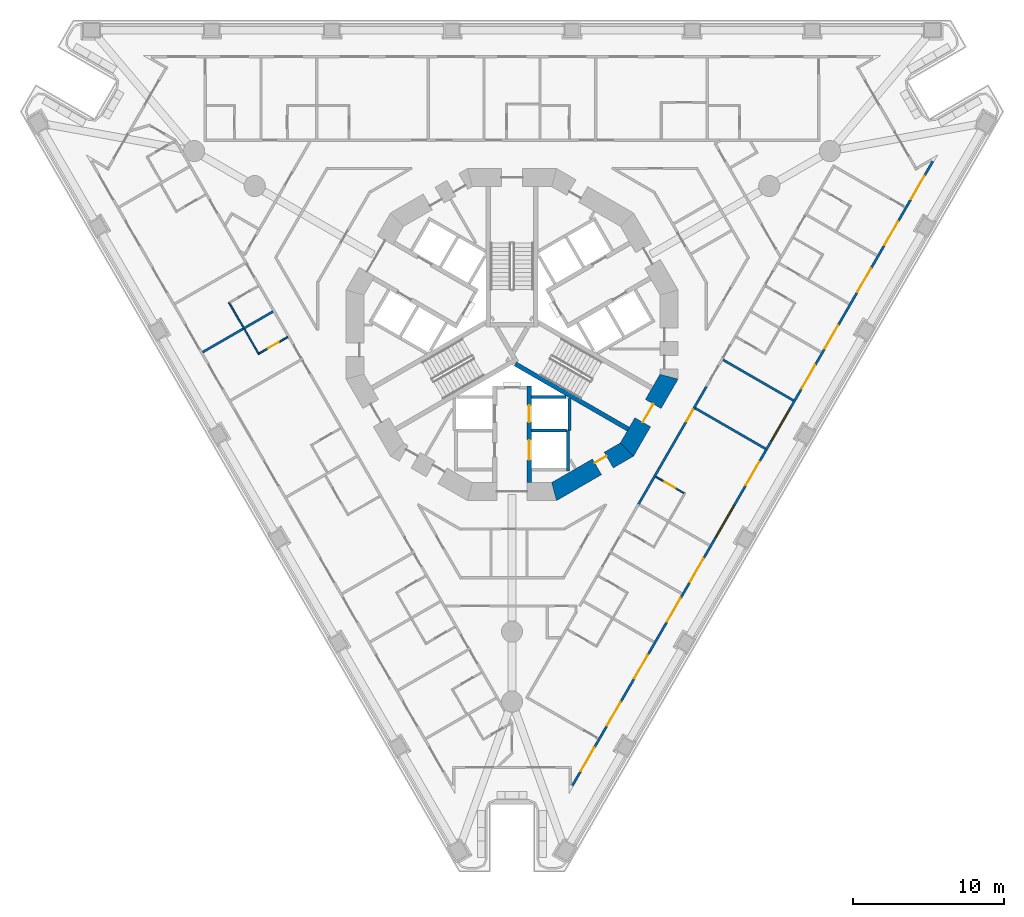
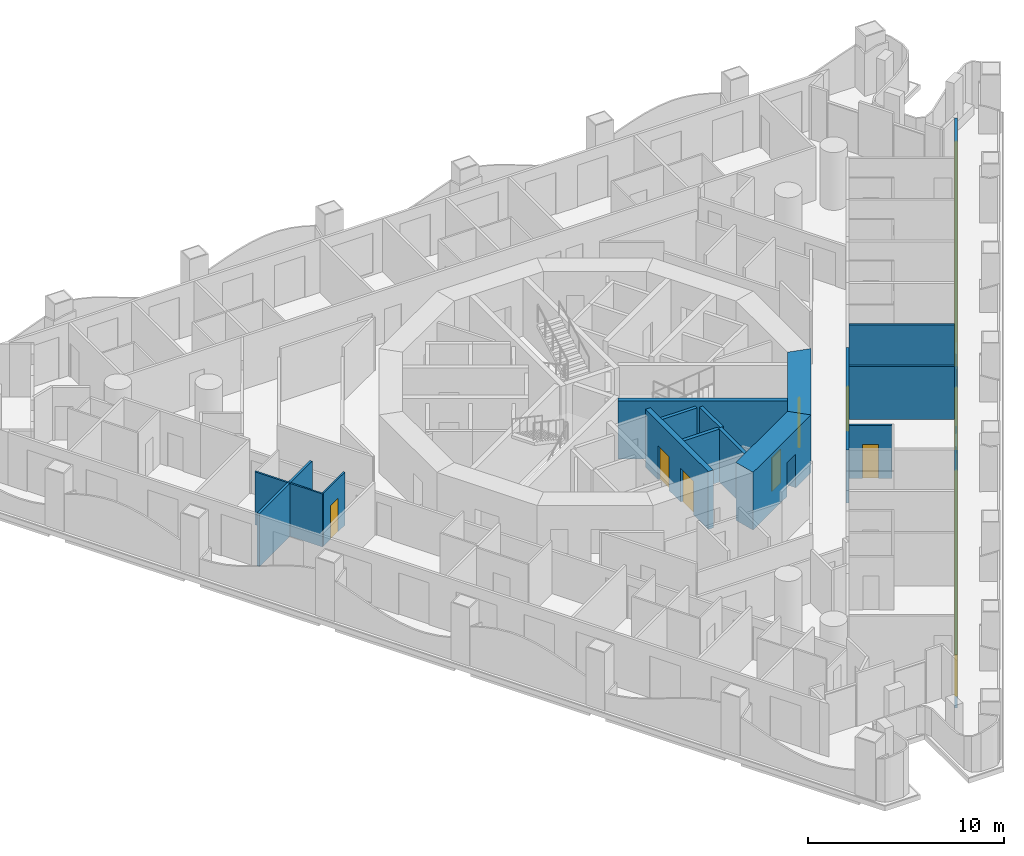
# One storey, part 5 of 20: 18 doors, 17 walls, 2 windows, 20 openings.
"""IFC4 building model written with IfcOpenShell, lengths in metres."""

from ifc_helpers import new_model, si_unit, direction, frame, frame_2d, origin, place, context, subcontext, project, spatial, polyline, rectangle, outline, extrude, material, layer, layer_set, type_object, element, fill, save


model = new_model("IFC4")

# Units and contexts
model_context = context("Model", 3, precision=1e-05, world=origin(), true_north=direction((0.0, 1.0)))
body_context = subcontext(model_context, "Body", "Model", "MODEL_VIEW")
ifc_project = project(units=[si_unit("LENGTHUNIT", "METRE"), si_unit("AREAUNIT", "SQUARE_METRE"), si_unit("VOLUMEUNIT", "CUBIC_METRE"), si_unit("PLANEANGLEUNIT", "RADIAN"), si_unit("MASSUNIT", "GRAM", prefix="KILO")], contexts=[model_context])

# Site, building, storey
site_placement = place(None, origin())
site = spatial("IfcSite", under=ifc_project, at=site_placement, CompositionType="ELEMENT")
building_placement = place(site_placement, origin())
building = spatial("IfcBuilding", under=site, at=building_placement, Name="Trine Commons Tower", CompositionType="ELEMENT")
storey_placement = place(building_placement, frame((0.0, 0.0, 38.699951171875)))
storey = spatial("IfcBuildingStorey", under=building, at=storey_placement, Name="L08", CompositionType="ELEMENT", Elevation=38.699951171875)

# Wall, openings, windows, doors
ifc_material_1 = material(Name="Aluminium-framed insulated wall panel", Category="aluminium")
ifc_layer_1 = layer(ifc_material_1, 0.14990234375)
ifc_layer_set_1 = layer_set([ifc_layer_1], Name="Aluminium-framed insulated wall panel")
wall_type_1 = type_object("IfcWallType", Name="Glazed frame wall 150, EI 60", PredefinedType="SOLIDWALL", material=ifc_layer_set_1)
wall_1_placement = place(storey_placement, frame((107.973388671875, 74.112060546875, 0.0), z_axis=(0.0, 0.0, 1.0), x_axis=(-0.499998600735, -0.866026211649, 0.0)))
wall_1 = element("IfcWall", 1, at=wall_1_placement, inside=storey, type_object=wall_type_1, Name="Glazed frame wall F2", PredefinedType="SOLIDWALL", context=body_context, shape_type="SweptSolid", body=[
    extrude(outline(polyline([(0.1494140625, 0.074951171875), (0.1494140625, -0.074951171875), (47.93701171875, -0.074951171875), (47.93701171875, 0.074951171875), (0.1494140625, 0.074951171875)])), origin(), (0.0, 0.0, 1.0), 3.300048828125),
])
opening_1_placement = place(wall_1_placement, frame((1.24951171875, 0.0, 0.0)))
opening_1 = element("IfcOpeningElement", 2, at=opening_1_placement, cuts=wall_1, Name="Opening BD-1F2-01", PredefinedType="OPENING", context=body_context, shape_type="SweptSolid", body=[
    extrude(rectangle(XDim=1.800048828125, YDim=2.60009765625, at=frame_2d((0.89990234375, 1.300048828125))), frame((0.0, 0.0849609375, 0.0), z_axis=(0.0, -1.0, 0.0), x_axis=(1.0, 0.0, 0.0)), (0.0, 0.0, 1.0), 0.169921875),
])
opening_2_placement = place(wall_1_placement, frame((4.748291015625, 0.0, 0.0)))
opening_2 = element("IfcOpeningElement", 3, at=opening_2_placement, cuts=wall_1, Name="Opening BD-1F2-02", PredefinedType="OPENING", context=body_context, shape_type="SweptSolid", body=[
    extrude(rectangle(XDim=1.800048828125, YDim=2.60009765625, at=frame_2d((0.89990234375, 1.300048828125))), frame((0.0, 0.0849609375, 0.0), z_axis=(0.0, -1.0, 0.0), x_axis=(1.0, 0.0, 0.0)), (0.0, 0.0, 1.0), 0.169921875),
])
opening_3_placement = place(wall_1_placement, frame((8.347412109375, 0.0, 0.0)))
opening_3 = element("IfcOpeningElement", 4, at=opening_3_placement, cuts=wall_1, Name="Opening BD-1F2-03", PredefinedType="OPENING", context=body_context, shape_type="SweptSolid", body=[
    extrude(rectangle(XDim=1.800048828125, YDim=2.60009765625, at=frame_2d((0.89990234375, 1.300048828125))), frame((0.0, 0.0849609375, 0.0), z_axis=(0.0, -1.0, 0.0), x_axis=(1.0, 0.0, 0.0)), (0.0, 0.0, 1.0), 0.169921875),
])
opening_4_placement = place(wall_1_placement, frame((12.69580078125, 0.0, 0.0)))
opening_4 = element("IfcOpeningElement", 5, at=opening_4_placement, cuts=wall_1, Name="Opening BD-1F2-04", PredefinedType="OPENING", context=body_context, shape_type="SweptSolid", body=[
    extrude(rectangle(XDim=1.800048828125, YDim=2.60009765625, at=frame_2d((0.89990234375, 1.300048828125))), frame((0.0, 0.0849609375, 0.0), z_axis=(0.0, -1.0, 0.0), x_axis=(1.0, 0.0, 0.0)), (0.0, 0.0, 1.0), 0.169921875),
])
opening_5_placement = place(wall_1_placement, frame((15.7451171875, 0.0, 0.0)))
opening_5 = element("IfcOpeningElement", 6, at=opening_5_placement, cuts=wall_1, Name="Opening BD-1F2-05", PredefinedType="OPENING", context=body_context, shape_type="SweptSolid", body=[
    extrude(rectangle(XDim=1.800048828125, YDim=2.60009765625, at=frame_2d((0.89990234375, 1.300048828125))), frame((0.0, 0.0849609375, 0.0), z_axis=(0.0, -1.0, 0.0), x_axis=(1.0, 0.0, 0.0)), (0.0, 0.0, 1.0), 0.169921875),
])
opening_6_placement = place(wall_1_placement, frame((19.14404296875, 0.0, 0.14990234375)))
opening_6 = element("IfcOpeningElement", 7, at=opening_6_placement, cuts=wall_1, Name="Opening W-1F2-06", PredefinedType="OPENING", context=body_context, shape_type="SweptSolid", body=[
    extrude(rectangle(XDim=2.39990234375, YDim=2.449951171875, at=frame_2d((1.199951171875, 1.22509765625))), frame((0.0, 0.0849609375, 0.0), z_axis=(0.0, -1.0, 0.0), x_axis=(1.0, 0.0, 0.0)), (0.0, 0.0, 1.0), 0.169921875),
])
opening_7_placement = place(wall_1_placement, frame((23.142822265625, 0.0, 0.0)))
opening_7 = element("IfcOpeningElement", 8, at=opening_7_placement, cuts=wall_1, Name="Opening BD-1F2-07", PredefinedType="OPENING", context=body_context, shape_type="SweptSolid", body=[
    extrude(rectangle(XDim=1.800048828125, YDim=2.60009765625, at=frame_2d((0.89990234375, 1.300048828125))), frame((0.0, 0.0849609375, 0.0), z_axis=(0.0, -1.0, 0.0), x_axis=(1.0, 0.0, 0.0)), (0.0, 0.0, 1.0), 0.169921875),
])
opening_8_placement = place(wall_1_placement, frame((26.541748046875, 0.0, 0.14990234375)))
opening_8 = element("IfcOpeningElement", 9, at=opening_8_placement, cuts=wall_1, Name="Opening W-1F2-08", PredefinedType="OPENING", context=body_context, shape_type="SweptSolid", body=[
    extrude(rectangle(XDim=2.39990234375, YDim=2.449951171875, at=frame_2d((1.199951171875, 1.22509765625))), frame((0.0, 0.0849609375, 0.0), z_axis=(0.0, -1.0, 0.0), x_axis=(1.0, 0.0, 0.0)), (0.0, 0.0, 1.0), 0.169921875),
])
opening_9_placement = place(wall_1_placement, frame((30.54052734375, 0.0, 0.0)))
opening_9 = element("IfcOpeningElement", 10, at=opening_9_placement, cuts=wall_1, Name="Opening BD-1F2-09", PredefinedType="OPENING", context=body_context, shape_type="SweptSolid", body=[
    extrude(rectangle(XDim=1.800048828125, YDim=2.60009765625, at=frame_2d((0.89990234375, 1.300048828125))), frame((0.0, 0.0849609375, 0.0), z_axis=(0.0, -1.0, 0.0), x_axis=(1.0, 0.0, 0.0)), (0.0, 0.0, 1.0), 0.169921875),
])
opening_10_placement = place(wall_1_placement, frame((33.590087890625, 0.0, 0.0)))
opening_10 = element("IfcOpeningElement", 11, at=opening_10_placement, cuts=wall_1, Name="Opening BD-1F2-10", PredefinedType="OPENING", context=body_context, shape_type="SweptSolid", body=[
    extrude(rectangle(XDim=1.800048828125, YDim=2.60009765625, at=frame_2d((0.89990234375, 1.300048828125))), frame((0.0, 0.0849609375, 0.0), z_axis=(0.0, -1.0, 0.0), x_axis=(1.0, 0.0, 0.0)), (0.0, 0.0, 1.0), 0.169921875),
])
opening_11_placement = place(wall_1_placement, frame((37.9384765625, 0.0, 0.0)))
opening_11 = element("IfcOpeningElement", 12, at=opening_11_placement, cuts=wall_1, Name="Opening BD-1F2-11", PredefinedType="OPENING", context=body_context, shape_type="SweptSolid", body=[
    extrude(rectangle(XDim=1.800048828125, YDim=2.60009765625, at=frame_2d((0.89990234375, 1.300048828125))), frame((0.0, 0.0849609375, 0.0), z_axis=(0.0, -1.0, 0.0), x_axis=(1.0, 0.0, 0.0)), (0.0, 0.0, 1.0), 0.169921875),
])
opening_12_placement = place(wall_1_placement, frame((41.537353515625, 0.0, 0.0)))
opening_12 = element("IfcOpeningElement", 13, at=opening_12_placement, cuts=wall_1, Name="Opening BD-1F2-12", PredefinedType="OPENING", context=body_context, shape_type="SweptSolid", body=[
    extrude(rectangle(XDim=1.800048828125, YDim=2.60009765625, at=frame_2d((0.89990234375, 1.300048828125))), frame((0.0, 0.0849609375, 0.0), z_axis=(0.0, -1.0, 0.0), x_axis=(1.0, 0.0, 0.0)), (0.0, 0.0, 1.0), 0.169921875),
])
opening_13_placement = place(wall_1_placement, frame((45.036376953125, 0.0, 0.0)))
opening_13 = element("IfcOpeningElement", 14, at=opening_13_placement, cuts=wall_1, Name="Opening BD-1F2-13", PredefinedType="OPENING", context=body_context, shape_type="SweptSolid", body=[
    extrude(rectangle(XDim=1.800048828125, YDim=2.60009765625, at=frame_2d((0.89990234375, 1.300048828125))), frame((0.0, 0.0849609375, 0.0), z_axis=(0.0, -1.0, 0.0), x_axis=(1.0, 0.0, 0.0)), (0.0, 0.0, 1.0), 0.169921875),
])
ifc_material_2 = material(Name="Anodised aluminium frame with double glazing", Category="aluminium")
window_type = type_object("IfcWindowType", Name="Fixed window 2400x2450", PartitioningType="SINGLE_PANEL", PredefinedType="WINDOW", material=ifc_material_2)
window_1_placement = place(opening_6_placement, origin())
window_1 = element("IfcWindow", 15, at=window_1_placement, inside=storey, type_object=window_type, Name="Window F2 6", OverallHeight=2.449951171875, OverallWidth=2.39990234375, PartitioningType="SINGLE_PANEL", PredefinedType="WINDOW", context=body_context, shape_type="SweptSolid", body=[
    extrude(rectangle(XDim=2.39990234375, YDim=2.449951171875, at=frame_2d((1.199951171875, 1.22509765625))), frame((0.0, 0.030029296875, 0.0), z_axis=(0.0, -1.0, 0.0), x_axis=(1.0, 0.0, 0.0)), (0.0, 0.0, 1.0), 0.06005859375),
])
fill(opening_6, window_1)
window_2_placement = place(opening_8_placement, origin())
window_2 = element("IfcWindow", 16, at=window_2_placement, inside=storey, type_object=window_type, Name="Window F2 8", OverallHeight=2.449951171875, OverallWidth=2.39990234375, PartitioningType="SINGLE_PANEL", PredefinedType="WINDOW", context=body_context, shape_type="SweptSolid", body=[
    extrude(rectangle(XDim=2.39990234375, YDim=2.449951171875, at=frame_2d((1.199951171875, 1.22509765625))), frame((0.0, 0.030029296875, 0.0), z_axis=(0.0, -1.0, 0.0), x_axis=(1.0, 0.0, 0.0)), (0.0, 0.0, 1.0), 0.06005859375),
])
fill(opening_8, window_2)
door_type_1 = type_object("IfcDoorType", Name="Sliding loggia door 1800x2600", OperationType="SLIDING_TO_LEFT", PredefinedType="DOOR", material=ifc_material_2)
door_1_placement = place(opening_1_placement, origin())
door_1 = element("IfcDoor", 17, at=door_1_placement, inside=storey, type_object=door_type_1, Name="Loggia door F2 1", OperationType="SLIDING_TO_LEFT", OverallHeight=2.60009765625, OverallWidth=1.800048828125, PredefinedType="DOOR", context=body_context, shape_type="SweptSolid", body=[
    extrude(rectangle(XDim=1.800048828125, YDim=2.60009765625, at=frame_2d((0.89990234375, 1.300048828125))), frame((0.0, 0.02490234375, 0.0), z_axis=(0.0, -1.0, 0.0), x_axis=(1.0, 0.0, 0.0)), (0.0, 0.0, 1.0), 0.050048828125),
])
fill(opening_1, door_1)
door_2_placement = place(opening_2_placement, origin())
door_2 = element("IfcDoor", 18, at=door_2_placement, inside=storey, type_object=door_type_1, Name="Loggia door F2 2", OperationType="SLIDING_TO_LEFT", OverallHeight=2.60009765625, OverallWidth=1.800048828125, PredefinedType="DOOR", context=body_context, shape_type="SweptSolid", body=[
    extrude(rectangle(XDim=1.800048828125, YDim=2.60009765625, at=frame_2d((0.89990234375, 1.300048828125))), frame((0.0, 0.02490234375, 0.0), z_axis=(0.0, -1.0, 0.0), x_axis=(1.0, 0.0, 0.0)), (0.0, 0.0, 1.0), 0.050048828125),
])
fill(opening_2, door_2)
door_3_placement = place(opening_3_placement, origin())
door_3 = element("IfcDoor", 19, at=door_3_placement, inside=storey, type_object=door_type_1, Name="Loggia door F2 3", OperationType="SLIDING_TO_LEFT", OverallHeight=2.60009765625, OverallWidth=1.800048828125, PredefinedType="DOOR", context=body_context, shape_type="SweptSolid", body=[
    extrude(rectangle(XDim=1.800048828125, YDim=2.60009765625, at=frame_2d((0.89990234375, 1.300048828125))), frame((0.0, 0.02490234375, 0.0), z_axis=(0.0, -1.0, 0.0), x_axis=(1.0, 0.0, 0.0)), (0.0, 0.0, 1.0), 0.050048828125),
])
fill(opening_3, door_3)
door_4_placement = place(opening_4_placement, origin())
door_4 = element("IfcDoor", 20, at=door_4_placement, inside=storey, type_object=door_type_1, Name="Loggia door F2 4", OperationType="SLIDING_TO_LEFT", OverallHeight=2.60009765625, OverallWidth=1.800048828125, PredefinedType="DOOR", context=body_context, shape_type="SweptSolid", body=[
    extrude(rectangle(XDim=1.800048828125, YDim=2.60009765625, at=frame_2d((0.89990234375, 1.300048828125))), frame((0.0, 0.02490234375, 0.0), z_axis=(0.0, -1.0, 0.0), x_axis=(1.0, 0.0, 0.0)), (0.0, 0.0, 1.0), 0.050048828125),
])
fill(opening_4, door_4)
door_5_placement = place(opening_5_placement, origin())
door_5 = element("IfcDoor", 21, at=door_5_placement, inside=storey, type_object=door_type_1, Name="Loggia door F2 5", OperationType="SLIDING_TO_LEFT", OverallHeight=2.60009765625, OverallWidth=1.800048828125, PredefinedType="DOOR", context=body_context, shape_type="SweptSolid", body=[
    extrude(rectangle(XDim=1.800048828125, YDim=2.60009765625, at=frame_2d((0.89990234375, 1.300048828125))), frame((0.0, 0.02490234375, 0.0), z_axis=(0.0, -1.0, 0.0), x_axis=(1.0, 0.0, 0.0)), (0.0, 0.0, 1.0), 0.050048828125),
])
fill(opening_5, door_5)
door_6_placement = place(opening_7_placement, origin())
door_6 = element("IfcDoor", 22, at=door_6_placement, inside=storey, type_object=door_type_1, Name="Loggia door F2 7", OperationType="SLIDING_TO_LEFT", OverallHeight=2.60009765625, OverallWidth=1.800048828125, PredefinedType="DOOR", context=body_context, shape_type="SweptSolid", body=[
    extrude(rectangle(XDim=1.800048828125, YDim=2.60009765625, at=frame_2d((0.89990234375, 1.300048828125))), frame((0.0, 0.02490234375, 0.0), z_axis=(0.0, -1.0, 0.0), x_axis=(1.0, 0.0, 0.0)), (0.0, 0.0, 1.0), 0.050048828125),
])
fill(opening_7, door_6)
door_7_placement = place(opening_9_placement, origin())
door_7 = element("IfcDoor", 23, at=door_7_placement, inside=storey, type_object=door_type_1, Name="Loggia door F2 9", OperationType="SLIDING_TO_LEFT", OverallHeight=2.60009765625, OverallWidth=1.800048828125, PredefinedType="DOOR", context=body_context, shape_type="SweptSolid", body=[
    extrude(rectangle(XDim=1.800048828125, YDim=2.60009765625, at=frame_2d((0.89990234375, 1.300048828125))), frame((0.0, 0.02490234375, 0.0), z_axis=(0.0, -1.0, 0.0), x_axis=(1.0, 0.0, 0.0)), (0.0, 0.0, 1.0), 0.050048828125),
])
fill(opening_9, door_7)
door_8_placement = place(opening_10_placement, origin())
door_8 = element("IfcDoor", 24, at=door_8_placement, inside=storey, type_object=door_type_1, Name="Loggia door F2 10", OperationType="SLIDING_TO_LEFT", OverallHeight=2.60009765625, OverallWidth=1.800048828125, PredefinedType="DOOR", context=body_context, shape_type="SweptSolid", body=[
    extrude(rectangle(XDim=1.800048828125, YDim=2.60009765625, at=frame_2d((0.89990234375, 1.300048828125))), frame((0.0, 0.02490234375, 0.0), z_axis=(0.0, -1.0, 0.0), x_axis=(1.0, 0.0, 0.0)), (0.0, 0.0, 1.0), 0.050048828125),
])
fill(opening_10, door_8)
door_9_placement = place(opening_11_placement, origin())
door_9 = element("IfcDoor", 25, at=door_9_placement, inside=storey, type_object=door_type_1, Name="Loggia door F2 11", OperationType="SLIDING_TO_LEFT", OverallHeight=2.60009765625, OverallWidth=1.800048828125, PredefinedType="DOOR", context=body_context, shape_type="SweptSolid", body=[
    extrude(rectangle(XDim=1.800048828125, YDim=2.60009765625, at=frame_2d((0.89990234375, 1.300048828125))), frame((0.0, 0.02490234375, 0.0), z_axis=(0.0, -1.0, 0.0), x_axis=(1.0, 0.0, 0.0)), (0.0, 0.0, 1.0), 0.050048828125),
])
fill(opening_11, door_9)
door_10_placement = place(opening_12_placement, origin())
door_10 = element("IfcDoor", 26, at=door_10_placement, inside=storey, type_object=door_type_1, Name="Loggia door F2 12", OperationType="SLIDING_TO_LEFT", OverallHeight=2.60009765625, OverallWidth=1.800048828125, PredefinedType="DOOR", context=body_context, shape_type="SweptSolid", body=[
    extrude(rectangle(XDim=1.800048828125, YDim=2.60009765625, at=frame_2d((0.89990234375, 1.300048828125))), frame((0.0, 0.02490234375, 0.0), z_axis=(0.0, -1.0, 0.0), x_axis=(1.0, 0.0, 0.0)), (0.0, 0.0, 1.0), 0.050048828125),
])
fill(opening_12, door_10)
door_11_placement = place(opening_13_placement, origin())
door_11 = element("IfcDoor", 27, at=door_11_placement, inside=storey, type_object=door_type_1, Name="Loggia door F2 13", OperationType="SLIDING_TO_LEFT", OverallHeight=2.60009765625, OverallWidth=1.800048828125, PredefinedType="DOOR", context=body_context, shape_type="SweptSolid", body=[
    extrude(rectangle(XDim=1.800048828125, YDim=2.60009765625, at=frame_2d((0.89990234375, 1.300048828125))), frame((0.0, 0.02490234375, 0.0), z_axis=(0.0, -1.0, 0.0), x_axis=(1.0, 0.0, 0.0)), (0.0, 0.0, 1.0), 0.050048828125),
])
fill(opening_13, door_11)

# Wall, opening, door
ifc_material_3 = material(Name="Concrete C80/95", Category="concrete")
ifc_layer_2 = layer(ifc_material_3, 1.199951171875)
ifc_layer_set_2 = layer_set([ifc_layer_2], Name="Concrete C80/95")
wall_type_2 = type_object("IfcWallType", Name="RC shear wall 1200 mm, C80/95", PredefinedType="SHEAR", material=ifc_layer_set_2)
wall_2_placement = place(storey_placement, frame((82.650390625, 52.008056640625, 0.0), z_axis=(0.0, 0.0, 1.0), x_axis=(0.866037463336, 0.499979111662, 0.0)))
wall_2 = element("IfcWall", 28, at=wall_2_placement, inside=storey, type_object=wall_type_2, Name="Core wall CWA-11 L08", PredefinedType="SHEAR", context=body_context, shape_type="SweptSolid", body=[
    extrude(outline(polyline([(0.0, -0.60009765625), (5.901123046875, -0.60009765625), (5.57958984375, 0.60009765625), (0.321533203125, 0.60009765625), (0.0, -0.60009765625)])), origin(), (0.0, 0.0, 1.0), 3.60009765625),
])
opening_14_placement = place(wall_2_placement, frame((3.44677734375, 0.0, 0.0)))
opening_14 = element("IfcOpeningElement", 29, at=opening_14_placement, cuts=wall_2, Name="Opening K07.17", PredefinedType="OPENING", context=body_context, shape_type="SweptSolid", body=[
    extrude(rectangle(XDim=0.89990234375, YDim=2.10009765625, at=frame_2d((0.449951171875, 1.050048828125))), frame((0.0, 0.60986328125, 0.0), z_axis=(0.0, -1.0, 0.0), x_axis=(1.0, 0.0, 0.0)), (0.0, 0.0, 1.0), 1.219970703125),
])
ifc_material_4 = material(Name="Steel door leaf, fire-rated", Category="steel")
door_type_2 = type_object("IfcDoorType", Name="Core room door, single leaf 900 x 2100, FD30S", OperationType="SINGLE_SWING_LEFT", PredefinedType="DOOR", material=ifc_material_4)
door_12_placement = place(opening_14_placement, origin())
door_12 = element("IfcDoor", 30, at=door_12_placement, inside=storey, type_object=door_type_2, Name="Door to Pantry L08", OperationType="SINGLE_SWING_RIGHT", OverallHeight=2.10009765625, OverallWidth=0.89990234375, PredefinedType="DOOR", context=body_context, shape_type="SweptSolid", body=[
    extrude(rectangle(XDim=0.89990234375, YDim=2.10009765625, at=frame_2d((0.449951171875, 1.050048828125))), frame((0.0, 0.3251953125, 0.0), z_axis=(0.0, -1.0, 0.0), x_axis=(1.0, 0.0, 0.0)), (0.0, 0.0, 1.0), 0.050048828125),
])
fill(opening_14, door_12)

wall_3_placement = place(storey_placement, frame((87.54150390625, 54.739013671875, 0.0), z_axis=(0.0, 0.0, 1.0), x_axis=(0.499979111662, 0.866037463336, 0.0)))
wall_3 = element("IfcWall", 31, at=wall_3_placement, inside=storey, type_object=wall_type_2, Name="Core wall CWA-12 L08", PredefinedType="SHEAR", context=body_context, shape_type="SweptSolid", body=[
    extrude(outline(polyline([(0.0, -0.60009765625), (5.901123046875, -0.60009765625), (5.57958984375, 0.60009765625), (0.321533203125, 0.60009765625), (0.0, -0.60009765625)])), origin(), (0.0, 0.0, 1.0), 3.60009765625),
])
opening_15_placement = place(wall_3_placement, frame((2.25048828125, 0.0, 0.0)))
opening_15 = element("IfcOpeningElement", 32, at=opening_15_placement, cuts=wall_3, Name="Opening K07.03", PredefinedType="OPENING", context=body_context, shape_type="SweptSolid", body=[
    extrude(rectangle(XDim=1.39990234375, YDim=2.10009765625, at=frame_2d((0.699951171875, 1.050048828125))), frame((0.0, 0.60986328125, 0.0), z_axis=(0.0, -1.0, 0.0), x_axis=(1.0, 0.0, 0.0)), (0.0, 0.0, 1.0), 1.219970703125),
])
ifc_material_5 = material(Name="Steel door leaves, fire-rated", Category="steel")
door_type_3 = type_object("IfcDoorType", Name="Stair door, double leaf 1400 x 2100, FD90", OperationType="DOUBLE_DOOR_SINGLE_SWING", PredefinedType="DOOR", material=ifc_material_5)
door_13_placement = place(opening_15_placement, origin())
door_13 = element("IfcDoor", 33, at=door_13_placement, inside=storey, type_object=door_type_3, Name="Stair door to Exit stair ST3A L08", OperationType="DOUBLE_DOOR_SINGLE_SWING", OverallHeight=2.10009765625, OverallWidth=1.39990234375, PredefinedType="DOOR", context=body_context, shape_type="SweptSolid", body=[
    extrude(rectangle(XDim=1.39990234375, YDim=2.10009765625, at=frame_2d((0.699951171875, 1.050048828125))), frame((0.0, 0.02490234375, 0.0), z_axis=(0.0, -1.0, 0.0), x_axis=(1.0, 0.0, 0.0)), (0.0, 0.0, 1.0), 0.050048828125),
])
fill(opening_15, door_13)

# Wall, openings, doors
ifc_layer_3 = layer(ifc_material_3, 0.300048828125)
ifc_layer_set_3 = layer_set([ifc_layer_3], Name="Concrete C80/95")
wall_type_3 = type_object("IfcWallType", Name="RC shear wall 300 mm, C80/95", PredefinedType="SHEAR", material=ifc_layer_set_3)
wall_4_placement = place(storey_placement, frame((81.14990234375, 59.10009765625, 0.0), z_axis=(0.0, 0.0, 1.0), x_axis=(0.0, -1.0, 0.0)))
wall_4 = element("IfcWall", 34, at=wall_4_placement, inside=storey, type_object=wall_type_3, Name="Core cross wall SWA-04 L08", PredefinedType="SHEAR", context=body_context, shape_type="SweptSolid", body=[
    extrude(rectangle(XDim=6.412109375, YDim=0.300048828125, at=frame_2d((3.2060546875, 0.0))), origin(), (0.0, 0.0, 1.0), 3.60009765625),
])
opening_16_placement = place(wall_4_placement, frame((3.60009765625, 0.0, 0.0)))
opening_16 = element("IfcOpeningElement", 35, at=opening_16_placement, cuts=wall_4, Name="Opening LD11", PredefinedType="OPENING", context=body_context, shape_type="SweptSolid", body=[
    extrude(rectangle(XDim=1.300048828125, YDim=2.10009765625, at=frame_2d((0.64990234375, 1.050048828125))), frame((0.0, 0.159912109375, 0.0), z_axis=(0.0, -1.0, 0.0), x_axis=(1.0, 0.0, 0.0)), (0.0, 0.0, 1.0), 0.320068359375),
])
opening_17_placement = place(wall_4_placement, frame((1.300048828125, 0.0, 0.0)))
opening_17 = element("IfcOpeningElement", 36, at=opening_17_placement, cuts=wall_4, Name="Opening LD9", PredefinedType="OPENING", context=body_context, shape_type="SweptSolid", body=[
    extrude(rectangle(XDim=1.10009765625, YDim=2.10009765625, at=frame_2d((0.550048828125, 1.050048828125))), frame((0.0, 0.159912109375, 0.0), z_axis=(0.0, -1.0, 0.0), x_axis=(1.0, 0.0, 0.0)), (0.0, 0.0, 1.0), 0.320068359375),
])
ifc_material_6 = material(Name="Stainless steel sliding door leaves", Category="steel")
door_type_4 = type_object("IfcDoorType", Name="Lift landing door, centre-opening sliding 1100 x 2100, FD90", OperationType="DOUBLE_DOOR_SLIDING", PredefinedType="DOOR", material=ifc_material_6)
door_14_placement = place(opening_17_placement, origin())
door_14 = element("IfcDoor", 37, at=door_14_placement, inside=storey, type_object=door_type_4, Name="Lift landing door FF1 L08", OperationType="DOUBLE_DOOR_SLIDING", OverallHeight=2.10009765625, OverallWidth=1.10009765625, PredefinedType="DOOR", context=body_context, shape_type="SweptSolid", body=[
    extrude(rectangle(XDim=1.10009765625, YDim=2.10009765625, at=frame_2d((0.550048828125, 1.050048828125))), frame((0.0, 0.02490234375, 0.0), z_axis=(0.0, -1.0, 0.0), x_axis=(1.0, 0.0, 0.0)), (0.0, 0.0, 1.0), 0.050048828125),
])
fill(opening_17, door_14)
door_type_5 = type_object("IfcDoorType", Name="Lift landing door, centre-opening sliding 1300 x 2100, FD90", OperationType="DOUBLE_DOOR_SLIDING", PredefinedType="DOOR", material=ifc_material_6)
door_15_placement = place(opening_16_placement, origin())
door_15 = element("IfcDoor", 38, at=door_15_placement, inside=storey, type_object=door_type_5, Name="Lift landing door G1 L08", OperationType="DOUBLE_DOOR_SLIDING", OverallHeight=2.10009765625, OverallWidth=1.300048828125, PredefinedType="DOOR", context=body_context, shape_type="SweptSolid", body=[
    extrude(rectangle(XDim=1.300048828125, YDim=2.10009765625, at=frame_2d((0.64990234375, 1.050048828125))), frame((0.0, 0.02490234375, 0.0), z_axis=(0.0, -1.0, 0.0), x_axis=(1.0, 0.0, 0.0)), (0.0, 0.0, 1.0), 0.050048828125),
])
fill(opening_16, door_15)

# Walls
wall_5_placement = place(storey_placement, frame((80.22509765625, 60.552001953125, 0.0), z_axis=(0.0, 0.0, 1.0), x_axis=(0.865965399159, -0.500103916661, 0.0)))
element("IfcWall", 39, at=wall_5_placement, inside=storey, type_object=wall_type_3, Name="Core cross wall SWA-13 L08", PredefinedType="SHEAR", context=body_context, shape_type="SweptSolid", body=[
    extrude(rectangle(XDim=8.642333984375, YDim=0.300048828125, at=frame_2d((4.3212890625, 0.0))), origin(), (0.0, 0.0, 1.0), 3.60009765625),
])
ifc_material_7 = material(Name="Fire-rated gypsum shaft wall system")
ifc_layer_4 = layer(ifc_material_7, 0.199951171875)
ifc_layer_set_4 = layer_set([ifc_layer_4], Name="Fire-rated gypsum shaft wall system")
wall_type_4 = type_object("IfcWallType", Name="Shaft wall 200 mm, EI 120", PredefinedType="PARTITIONING", material=ifc_layer_set_4)
wall_6_placement = place(storey_placement, frame((81.300048828125, 56.14990234375, 0.0), z_axis=(0.0, 0.0, 1.0), x_axis=(1.0, 0.0, 0.0)))
element("IfcWall", 40, at=wall_6_placement, inside=storey, type_object=wall_type_4, Name="Shaft wall L08", PredefinedType="PARTITIONING", context=body_context, shape_type="SweptSolid", body=[
    extrude(rectangle(XDim=2.300048828125, YDim=0.199951171875, at=frame_2d((1.14990234375, 0.0))), origin(), (0.0, 0.0, 1.0), 3.300048828125),
])
wall_7_placement = place(storey_placement, frame((81.300048828125, 58.35009765625, 0.0), z_axis=(0.0, 0.0, 1.0), x_axis=(1.0, 0.0, 0.0)))
element("IfcWall", 41, at=wall_7_placement, inside=storey, type_object=wall_type_4, Name="Shaft wall L08", PredefinedType="PARTITIONING", context=body_context, shape_type="SweptSolid", body=[
    extrude(rectangle(XDim=2.264892578125, YDim=0.199951171875, at=frame_2d((1.13232421875, 0.0))), origin(), (0.0, 0.0, 1.0), 3.300048828125),
])
wall_8_placement = place(storey_placement, frame((83.699951171875, 56.14990234375, 0.0), z_axis=(0.0, 0.0, 1.0), x_axis=(0.0, -1.0, 0.0)))
element("IfcWall", 42, at=wall_8_placement, inside=storey, type_object=wall_type_4, Name="Shaft wall L08", PredefinedType="PARTITIONING", context=body_context, shape_type="SweptSolid", body=[
    extrude(rectangle(XDim=2.699951171875, YDim=0.199951171875, at=frame_2d((1.35009765625, 0.0))), origin(), (0.0, 0.0, 1.0), 3.300048828125),
])
wall_9_placement = place(storey_placement, frame((83.800048828125, 58.256103515625, 0.0), z_axis=(0.0, 0.0, 1.0), x_axis=(0.0, -1.0, 0.0)))
element("IfcWall", 43, at=wall_9_placement, inside=storey, type_object=wall_type_4, Name="Shaft wall L08", PredefinedType="PARTITIONING", context=body_context, shape_type="SweptSolid", body=[
    extrude(rectangle(XDim=2.106201171875, YDim=0.199951171875, at=frame_2d((1.05322265625, 0.0))), origin(), (0.0, 0.0, 1.0), 3.300048828125),
])
ifc_material_8 = material(Name="Gypsum plasterboard on steel stud", Category="steel")
ifc_layer_5 = layer(ifc_material_8, 0.14990234375)
ifc_layer_set_5 = layer_set([ifc_layer_5], Name="Gypsum plasterboard on steel stud")
wall_type_5 = type_object("IfcWallType", Name="Unit and corridor wall 150 mm, EI 60", PredefinedType="PARTITIONING", material=ifc_layer_set_5)
wall_10_placement = place(storey_placement, frame((59.489501953125, 61.3359375, 0.0), z_axis=(0.0, 0.0, 1.0), x_axis=(0.866074421339, 0.499915089492, 0.0)))
element("IfcWall", 44, at=wall_10_placement, inside=storey, type_object=wall_type_5, Name="Partition 011", PredefinedType="PARTITIONING", context=body_context, shape_type="SweptSolid", body=[
    extrude(rectangle(XDim=3.1083984375, YDim=0.14990234375, at=frame_2d((1.55419921875, 0.0))), origin(), (0.0, 0.0, 1.0), 3.300048828125),
])
wall_11_placement = place(storey_placement, frame((62.268310546875, 62.93994140625, 0.0), z_axis=(0.0, 0.0, 1.0), x_axis=(0.865905060694, 0.500208382442, 0.0)))
element("IfcWall", 45, at=wall_11_placement, inside=storey, type_object=wall_type_5, Name="Partition 023", PredefinedType="PARTITIONING", context=body_context, shape_type="SweptSolid", body=[
    extrude(rectangle(XDim=2.17431640625, YDim=0.14990234375, at=frame_2d((1.087158203125, 0.0))), origin(), (0.0, 0.0, 1.0), 3.300048828125),
])

# Wall, opening, door
wall_12_placement = place(storey_placement, frame((88.347412109375, 51.18408203125, 0.0), z_axis=(0.0, 0.0, 1.0), x_axis=(0.499985477122, 0.866033788409, 0.0)))
wall_12 = element("IfcWall", 46, at=wall_12_placement, inside=storey, type_object=wall_type_5, Name="Partition 096", PredefinedType="PARTITIONING", context=body_context, shape_type="SweptSolid", body=[
    extrude(rectangle(XDim=9.079345703125, YDim=0.14990234375, at=frame_2d((4.53955078125, 0.0))), origin(), (0.0, 0.0, 1.0), 3.300048828125),
])
opening_18_placement = place(wall_12_placement, frame((6.42626953125, 0.0, 0.0)))
opening_18 = element("IfcOpeningElement", 47, at=opening_18_placement, cuts=wall_12, Name="Opening D-1A20", PredefinedType="OPENING", context=body_context, shape_type="SweptSolid", body=[
    extrude(rectangle(XDim=0.89990234375, YDim=2.10009765625, at=frame_2d((0.449951171875, 1.050048828125))), frame((0.0, 0.0849609375, 0.0), z_axis=(0.0, -1.0, 0.0), x_axis=(1.0, 0.0, 0.0)), (0.0, 0.0, 1.0), 0.169921875),
])
ifc_material_9 = material(Name="Timber fire door set", Category="wood")
door_type_6 = type_object("IfcDoorType", Name="Bedroom door 900 x 2100, FD30S", OperationType="NOTDEFINED", PredefinedType="DOOR", material=ifc_material_9)
door_16_placement = place(opening_18_placement, frame((0.89990234375, 0.0, 0.0), z_axis=(0.0, 0.0, 1.0), x_axis=(-1.0, 0.0, 0.0)))
door_16 = element("IfcDoor", 48, at=door_16_placement, inside=storey, type_object=door_type_6, Name="Door D-1A20", OperationType="SINGLE_SWING_LEFT", OverallHeight=2.10009765625, OverallWidth=0.89990234375, PredefinedType="DOOR", context=body_context, shape_type="SweptSolid", body=[
    extrude(rectangle(XDim=0.89990234375, YDim=2.10009765625, at=frame_2d((0.449951171875, 1.050048828125))), frame((0.0, 0.02490234375, 0.0), z_axis=(0.0, -1.0, 0.0), x_axis=(1.0, 0.0, 0.0)), (0.0, 0.0, 1.0), 0.050048828125),
])
fill(opening_18, door_16)

# Walls
wall_13_placement = place(storey_placement, frame((92.14990234375, 57.62158203125, 0.0), z_axis=(0.0, 0.0, 1.0), x_axis=(0.865992970276, -0.500056172277, 0.0)))
element("IfcWall", 49, at=wall_13_placement, inside=storey, type_object=wall_type_5, Name="Partition 105", PredefinedType="PARTITIONING", context=body_context, shape_type="SweptSolid", body=[
    extrude(rectangle(XDim=5.3828125, YDim=0.14990234375, at=frame_2d((2.69140625, 0.0))), origin(), (0.0, 0.0, 1.0), 3.300048828125),
])
wall_14_placement = place(storey_placement, frame((93.9990234375, 60.824462890625, 0.0), z_axis=(0.0, 0.0, 1.0), x_axis=(0.866057962423, -0.499943602543, 0.0)))
element("IfcWall", 50, at=wall_14_placement, inside=storey, type_object=wall_type_5, Name="Partition 114", PredefinedType="PARTITIONING", context=body_context, shape_type="SweptSolid", body=[
    extrude(rectangle(XDim=5.38330078125, YDim=0.14990234375, at=frame_2d((2.691650390625, 0.0))), origin(), (0.0, 0.0, 1.0), 3.300048828125),
])
ifc_layer_6 = layer(ifc_material_8, 0.10009765625)
ifc_layer_set_6 = layer_set([ifc_layer_6], Name="Gypsum plasterboard on steel stud")
wall_type_6 = type_object("IfcWallType", Name="Unit partition 100 mm, no rating", PredefinedType="PARTITIONING", material=ifc_layer_set_6)
wall_15_placement = place(storey_placement, frame((61.22509765625, 64.647216796875, 0.0), z_axis=(0.0, 0.0, 1.0), x_axis=(0.499946095386, -0.866056523391, 0.0)))
element("IfcWall", 51, at=wall_15_placement, inside=storey, type_object=wall_type_6, Name="Partition 017", PredefinedType="PARTITIONING", context=body_context, shape_type="SweptSolid", body=[
    extrude(rectangle(XDim=4.00048828125, YDim=0.10009765625, at=frame_2d((2.000244140625, 0.0))), origin(), (0.0, 0.0, 1.0), 3.300048828125),
])

# Wall, opening, door
wall_16_placement = place(storey_placement, frame((63.243408203125, 61.2509765625, 0.0), z_axis=(0.0, 0.0, 1.0), x_axis=(0.865953691597, 0.500124188586, 0.0)))
wall_16 = element("IfcWall", 52, at=wall_16_placement, inside=storey, type_object=wall_type_6, Name="Partition 026", PredefinedType="PARTITIONING", context=body_context, shape_type="SweptSolid", body=[
    extrude(rectangle(XDim=2.17431640625, YDim=0.10009765625, at=frame_2d((1.087158203125, 0.0))), origin(), (0.0, 0.0, 1.0), 3.300048828125),
])
opening_19_placement = place(wall_16_placement, frame((0.68701171875, 0.0, 0.0)))
opening_19 = element("IfcOpeningElement", 53, at=opening_19_placement, cuts=wall_16, Name="Opening D-1A62", PredefinedType="OPENING", context=body_context, shape_type="SweptSolid", body=[
    extrude(rectangle(XDim=0.800048828125, YDim=2.10009765625, at=frame_2d((0.39990234375, 1.050048828125))), frame((0.0, 0.06005859375, 0.0), z_axis=(0.0, -1.0, 0.0), x_axis=(1.0, 0.0, 0.0)), (0.0, 0.0, 1.0), 0.1201171875),
])
ifc_material_10 = material(Name="Painted timber", Category="wood")
door_type_7 = type_object("IfcDoorType", Name="Internal door 800 x 2100, NOT RATED", OperationType="NOTDEFINED", PredefinedType="DOOR", material=ifc_material_10)
door_17_placement = place(opening_19_placement, frame((0.800048828125, 0.0, 0.0), z_axis=(0.0, 0.0, 1.0), x_axis=(-1.0, 0.0, 0.0)))
door_17 = element("IfcDoor", 54, at=door_17_placement, inside=storey, type_object=door_type_7, Name="Door D-1A62", OperationType="SINGLE_SWING_RIGHT", OverallHeight=2.10009765625, OverallWidth=0.800048828125, PredefinedType="DOOR", context=body_context, shape_type="SweptSolid", body=[
    extrude(rectangle(XDim=0.800048828125, YDim=2.10009765625, at=frame_2d((0.39990234375, 1.050048828125))), frame((0.0, 0.02490234375, 0.0), z_axis=(0.0, -1.0, 0.0), x_axis=(1.0, 0.0, 0.0)), (0.0, 0.0, 1.0), 0.050048828125),
])
fill(opening_19, door_17)

wall_17_placement = place(storey_placement, frame((89.52587890625, 53.076416015625, 0.0), z_axis=(0.0, 0.0, 1.0), x_axis=(0.866065968399, -0.499929733443, 0.0)))
wall_17 = element("IfcWall", 55, at=wall_17_placement, inside=storey, type_object=wall_type_6, Name="Partition 100", PredefinedType="PARTITIONING", context=body_context, shape_type="SweptSolid", body=[
    extrude(rectangle(XDim=2.175048828125, YDim=0.10009765625, at=frame_2d((1.08740234375, 0.0))), origin(), (0.0, 0.0, 1.0), 3.300048828125),
])
opening_20_placement = place(wall_17_placement, frame((0.6875, 0.0, 0.0)))
opening_20 = element("IfcOpeningElement", 56, at=opening_20_placement, cuts=wall_17, Name="Opening D-1A52", PredefinedType="OPENING", context=body_context, shape_type="SweptSolid", body=[
    extrude(rectangle(XDim=0.800048828125, YDim=2.10009765625, at=frame_2d((0.39990234375, 1.050048828125))), frame((0.0, 0.06005859375, 0.0), z_axis=(0.0, -1.0, 0.0), x_axis=(1.0, 0.0, 0.0)), (0.0, 0.0, 1.0), 0.1201171875),
])
door_18_placement = place(opening_20_placement, origin())
door_18 = element("IfcDoor", 57, at=door_18_placement, inside=storey, type_object=door_type_7, Name="Door D-1A52", OperationType="SINGLE_SWING_LEFT", OverallHeight=2.10009765625, OverallWidth=0.800048828125, PredefinedType="DOOR", context=body_context, shape_type="SweptSolid", body=[
    extrude(rectangle(XDim=0.800048828125, YDim=2.10009765625, at=frame_2d((0.39990234375, 1.050048828125))), frame((0.0, 0.02490234375, 0.0), z_axis=(0.0, -1.0, 0.0), x_axis=(1.0, 0.0, 0.0)), (0.0, 0.0, 1.0), 0.050048828125),
])
fill(opening_20, door_18)

save(model, "model.ifc")
